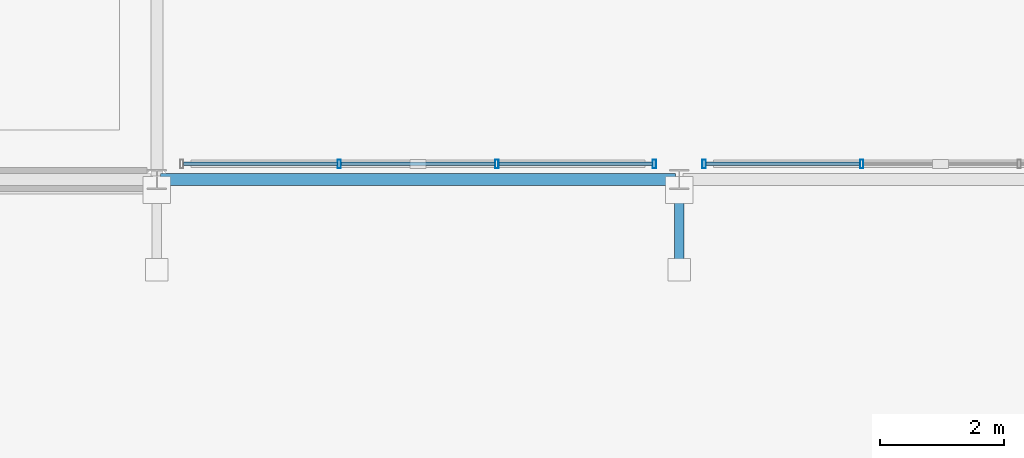
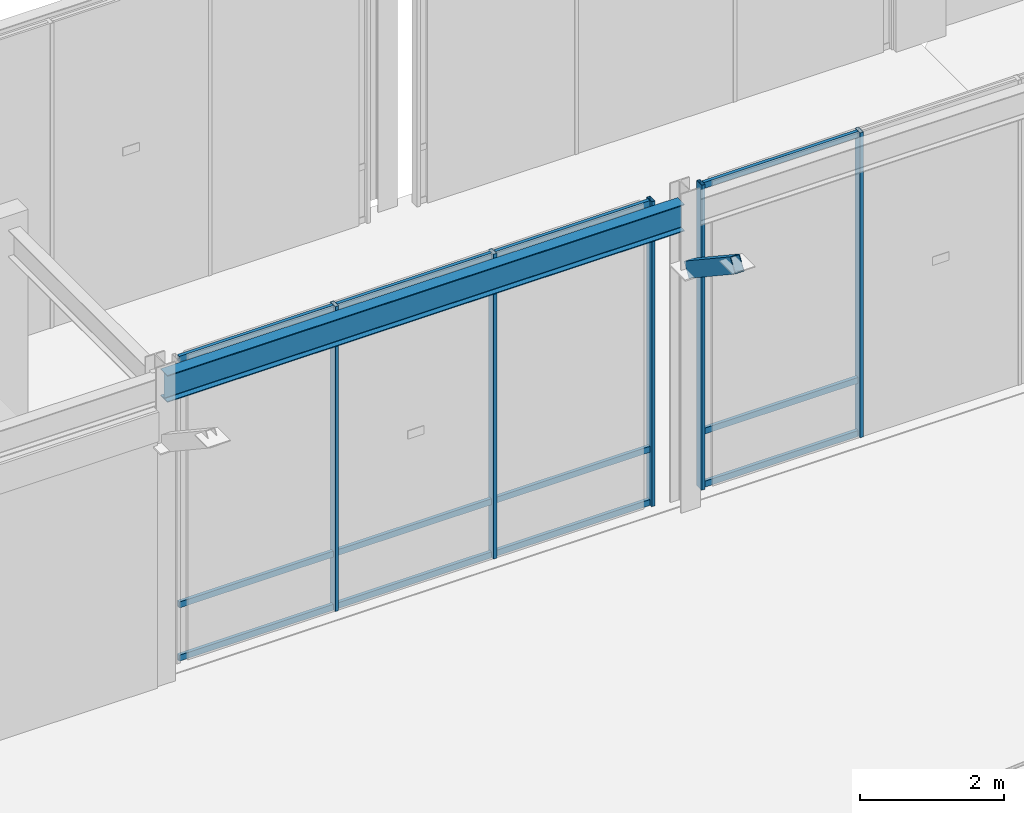
# One storey, part 38 of 157: 18 members, 1 beam, 2 elements without a shape of their own.
"""IFC4 building model written with IfcOpenShell, lengths in metres."""

from ifc_helpers import new_model, si_unit, direction, frame, origin, origin_2d, place, context, subcontext, project, spatial, hollow_rectangle, i_section, extrude, material, material_profile, profile_set, type_object, element, aggregate, save


model = new_model("IFC4")

# Units and contexts
model_context = context("Model", 3, precision=1e-05, world=origin(), true_north=direction((0.0, 1.0)))
body_context = subcontext(model_context, "Body", "Model", "MODEL_VIEW")
ifc_project = project(units=[si_unit("LENGTHUNIT", "METRE"), si_unit("AREAUNIT", "SQUARE_METRE"), si_unit("VOLUMEUNIT", "CUBIC_METRE"), si_unit("PLANEANGLEUNIT", "RADIAN"), si_unit("MASSUNIT", "GRAM", prefix="KILO"), si_unit("THERMODYNAMICTEMPERATUREUNIT", "KELVIN"), si_unit("POWERUNIT", "WATT")], contexts=[model_context])

# Site, building, storey
site_placement = place(None, origin())
site = spatial("IfcSite", under=ifc_project, at=site_placement, CompositionType="ELEMENT")
building_placement = place(site_placement, origin())
building = spatial("IfcBuilding", under=site, at=building_placement, Name="Darbajah Civic Hall", CompositionType="ELEMENT")
storey_placement = place(building_placement, origin())
storey = spatial("IfcBuildingStorey", under=building, at=storey_placement, Name="L00", CompositionType="ELEMENT", Elevation=0.0)

# Curtain wall, members
ifc_material_1 = material(Name="Anodised Bronze Aluminium and Low-E Glazing", Category="aluminium")
curtain_wall_type = type_object("IfcCurtainWallType", Name="Unitised Curtain Wall CW-101 7600x5150", PredefinedType="USERDEFINED", material=ifc_material_1)
curtain_wall_1_placement = place(storey_placement, origin())
curtain_wall_1 = element("IfcCurtainWall", 1, at=curtain_wall_1_placement, inside=storey, type_object=curtain_wall_type, Name="L00 unitised curtain wall CW-V6-SE-S-L00", ObjectType="UNITISED CURTAIN WALL", PredefinedType="USERDEFINED")
ifc_material_2 = material(Name="Anodised Bronze Aluminium", Category="aluminium")
ifc_material_profile_1 = material_profile(ifc_material_2, hollow_rectangle(XDim=0.054931640625, YDim=0.139892578125, WallThickness=0.003173828125, at=origin_2d()), Name="ALU MULLION 55x140")
ifc_profile_set_1 = profile_set([ifc_material_profile_1], Name="Anodised Bronze Aluminium")
member_type_1 = type_object("IfcMemberType", Name="ALU MULLION 55x140", PredefinedType="MULLION", material=ifc_profile_set_1)
member_1_placement = place(storey_placement, frame((97.13330078125, 33.85009765625, 0.0), z_axis=(0.0, 0.0, 1.0), x_axis=(1.0, 0.0, 0.0)))
member_1 = element("IfcMember", 2, at=member_1_placement, type_object=member_type_1, Name="CW-V6-SE-S-L00 mullion 2", PredefinedType="MULLION", context=body_context, shape_type="SweptSolid", body=[
    extrude(hollow_rectangle(XDim=0.054931640625, YDim=0.139892578125, WallThickness=0.003173828125, at=origin_2d()), origin(), (0.0, 0.0, 1.0), 5.159912109375),
])
member_2_placement = place(storey_placement, frame((99.666748046875, 33.85009765625, 0.0), z_axis=(0.0, 0.0, 1.0), x_axis=(1.0, 0.0, 0.0)))
member_2 = element("IfcMember", 3, at=member_2_placement, type_object=member_type_1, Name="CW-V6-SE-S-L00 mullion 3", PredefinedType="MULLION", context=body_context, shape_type="SweptSolid", body=[
    extrude(hollow_rectangle(XDim=0.054931640625, YDim=0.139892578125, WallThickness=0.003173828125, at=origin_2d()), origin(), (0.0, 0.0, 1.0), 5.159912109375),
])
member_3_placement = place(storey_placement, frame((102.199951171875, 33.85009765625, 0.0), z_axis=(0.0, 0.0, 1.0), x_axis=(1.0, 0.0, 0.0)))
member_3 = element("IfcMember", 4, at=member_3_placement, type_object=member_type_1, Name="CW-V6-SE-S-L00 mullion 4", PredefinedType="MULLION", context=body_context, shape_type="SweptSolid", body=[
    extrude(hollow_rectangle(XDim=0.054931640625, YDim=0.139892578125, WallThickness=0.003173828125, at=origin_2d()), origin(), (0.0, 0.0, 1.0), 5.159912109375),
])

curtain_wall_2_placement = place(storey_placement, origin())
curtain_wall_2 = element("IfcCurtainWall", 5, at=curtain_wall_2_placement, inside=storey, type_object=curtain_wall_type, Name="L00 unitised curtain wall CW-V6-SE-S2-L00", ObjectType="UNITISED CURTAIN WALL", PredefinedType="USERDEFINED")
member_4_placement = place(storey_placement, frame((103.0, 33.85009765625, 0.0), z_axis=(0.0, 0.0, 1.0), x_axis=(1.0, 0.0, 0.0)))
member_4 = element("IfcMember", 6, at=member_4_placement, type_object=member_type_1, Name="CW-V6-SE-S2-L00 mullion 1", PredefinedType="MULLION", context=body_context, shape_type="SweptSolid", body=[
    extrude(hollow_rectangle(XDim=0.054931640625, YDim=0.139892578125, WallThickness=0.003173828125, at=origin_2d()), origin(), (0.0, 0.0, 1.0), 5.159912109375),
])
member_5_placement = place(storey_placement, frame((105.533203125, 33.85009765625, 0.0), z_axis=(0.0, 0.0, 1.0), x_axis=(1.0, 0.0, 0.0)))
member_5 = element("IfcMember", 7, at=member_5_placement, type_object=member_type_1, Name="CW-V6-SE-S2-L00 mullion 2", PredefinedType="MULLION", context=body_context, shape_type="SweptSolid", body=[
    extrude(hollow_rectangle(XDim=0.054931640625, YDim=0.139892578125, WallThickness=0.003173828125, at=origin_2d()), origin(), (0.0, 0.0, 1.0), 5.159912109375),
])

# Member
ifc_material_profile_2 = material_profile(ifc_material_2, hollow_rectangle(XDim=0.054931640625, YDim=0.10009765625, WallThickness=0.0029296875, at=origin_2d()), Name="ALU TRANSOM 55x100")
ifc_profile_set_2 = profile_set([ifc_material_profile_2], Name="Anodised Bronze Aluminium")
member_type_2 = type_object("IfcMemberType", Name="ALU TRANSOM 55x100", PredefinedType="USERDEFINED", material=ifc_profile_set_2)
member_6_placement = place(storey_placement, frame((94.632568359375, 33.85009765625, 0.050048828125), z_axis=(1.0, 0.0, 0.0), x_axis=(0.0, 1.0, 0.0)))
member_6 = element("IfcMember", 8, at=member_6_placement, type_object=member_type_2, Name="CW-V6-SE-S-L00 transom 1.1", ObjectType="TRANSOM", PredefinedType="USERDEFINED", context=body_context, shape_type="SweptSolid", body=[
    extrude(hollow_rectangle(XDim=0.054931640625, YDim=0.10009765625, WallThickness=0.0029296875, at=origin_2d()), origin(), (0.0, 0.0, 1.0), 2.46826171875),
])

member_7_placement = place(storey_placement, frame((94.632568359375, 33.85009765625, 0.949951171875), z_axis=(1.0, 0.0, 0.0), x_axis=(0.0, 1.0, 0.0)))
member_7 = element("IfcMember", 9, at=member_7_placement, type_object=member_type_2, Name="CW-V6-SE-S-L00 transom 1.2", ObjectType="TRANSOM", PredefinedType="USERDEFINED", context=body_context, shape_type="SweptSolid", body=[
    extrude(hollow_rectangle(XDim=0.054931640625, YDim=0.10009765625, WallThickness=0.0029296875, at=origin_2d()), origin(), (0.0, 0.0, 1.0), 2.46826171875),
])

member_8_placement = place(storey_placement, frame((94.632568359375, 33.85009765625, 5.110107421875), z_axis=(1.0, 0.0, 0.0), x_axis=(0.0, 1.0, 0.0)))
member_8 = element("IfcMember", 10, at=member_8_placement, type_object=member_type_2, Name="CW-V6-SE-S-L00 transom 1.3", ObjectType="TRANSOM", PredefinedType="USERDEFINED", context=body_context, shape_type="SweptSolid", body=[
    extrude(hollow_rectangle(XDim=0.054931640625, YDim=0.10009765625, WallThickness=0.0029296875, at=origin_2d()), origin(), (0.0, 0.0, 1.0), 2.46826171875),
])

member_9_placement = place(storey_placement, frame((97.165771484375, 33.85009765625, 0.050048828125), z_axis=(1.0, 0.0, 0.0), x_axis=(0.0, 1.0, 0.0)))
member_9 = element("IfcMember", 11, at=member_9_placement, type_object=member_type_2, Name="CW-V6-SE-S-L00 transom 2.1", ObjectType="TRANSOM", PredefinedType="USERDEFINED", context=body_context, shape_type="SweptSolid", body=[
    extrude(hollow_rectangle(XDim=0.054931640625, YDim=0.10009765625, WallThickness=0.0029296875, at=origin_2d()), origin(), (0.0, 0.0, 1.0), 2.468505859375),
])

member_10_placement = place(storey_placement, frame((97.165771484375, 33.85009765625, 0.949951171875), z_axis=(1.0, 0.0, 0.0), x_axis=(0.0, 1.0, 0.0)))
member_10 = element("IfcMember", 12, at=member_10_placement, type_object=member_type_2, Name="CW-V6-SE-S-L00 transom 2.2", ObjectType="TRANSOM", PredefinedType="USERDEFINED", context=body_context, shape_type="SweptSolid", body=[
    extrude(hollow_rectangle(XDim=0.054931640625, YDim=0.10009765625, WallThickness=0.0029296875, at=origin_2d()), origin(), (0.0, 0.0, 1.0), 2.468505859375),
])

member_11_placement = place(storey_placement, frame((97.165771484375, 33.85009765625, 5.110107421875), z_axis=(1.0, 0.0, 0.0), x_axis=(0.0, 1.0, 0.0)))
member_11 = element("IfcMember", 13, at=member_11_placement, type_object=member_type_2, Name="CW-V6-SE-S-L00 transom 2.3", ObjectType="TRANSOM", PredefinedType="USERDEFINED", context=body_context, shape_type="SweptSolid", body=[
    extrude(hollow_rectangle(XDim=0.054931640625, YDim=0.10009765625, WallThickness=0.0029296875, at=origin_2d()), origin(), (0.0, 0.0, 1.0), 2.468505859375),
])

member_12_placement = place(storey_placement, frame((99.69921875, 33.85009765625, 0.050048828125), z_axis=(1.0, 0.0, 0.0), x_axis=(0.0, 1.0, 0.0)))
member_12 = element("IfcMember", 14, at=member_12_placement, type_object=member_type_2, Name="CW-V6-SE-S-L00 transom 3.1", ObjectType="TRANSOM", PredefinedType="USERDEFINED", context=body_context, shape_type="SweptSolid", body=[
    extrude(hollow_rectangle(XDim=0.054931640625, YDim=0.10009765625, WallThickness=0.0029296875, at=origin_2d()), origin(), (0.0, 0.0, 1.0), 2.46826171875),
])

member_13_placement = place(storey_placement, frame((99.69921875, 33.85009765625, 0.949951171875), z_axis=(1.0, 0.0, 0.0), x_axis=(0.0, 1.0, 0.0)))
member_13 = element("IfcMember", 15, at=member_13_placement, type_object=member_type_2, Name="CW-V6-SE-S-L00 transom 3.2", ObjectType="TRANSOM", PredefinedType="USERDEFINED", context=body_context, shape_type="SweptSolid", body=[
    extrude(hollow_rectangle(XDim=0.054931640625, YDim=0.10009765625, WallThickness=0.0029296875, at=origin_2d()), origin(), (0.0, 0.0, 1.0), 2.46826171875),
])

member_14_placement = place(storey_placement, frame((99.69921875, 33.85009765625, 5.110107421875), z_axis=(1.0, 0.0, 0.0), x_axis=(0.0, 1.0, 0.0)))
member_14 = element("IfcMember", 16, at=member_14_placement, type_object=member_type_2, Name="CW-V6-SE-S-L00 transom 3.3", ObjectType="TRANSOM", PredefinedType="USERDEFINED", context=body_context, shape_type="SweptSolid", body=[
    extrude(hollow_rectangle(XDim=0.054931640625, YDim=0.10009765625, WallThickness=0.0029296875, at=origin_2d()), origin(), (0.0, 0.0, 1.0), 2.46826171875),
])

aggregate(curtain_wall_1, [member_1, member_2, member_3, member_6, member_7, member_8, member_9, member_10, member_11, member_12, member_13, member_14])

member_15_placement = place(storey_placement, frame((103.032470703125, 33.85009765625, 0.050048828125), z_axis=(1.0, 0.0, 0.0), x_axis=(0.0, 1.0, 0.0)))
member_15 = element("IfcMember", 17, at=member_15_placement, type_object=member_type_2, Name="CW-V6-SE-S2-L00 transom 1.1", ObjectType="TRANSOM", PredefinedType="USERDEFINED", context=body_context, shape_type="SweptSolid", body=[
    extrude(hollow_rectangle(XDim=0.054931640625, YDim=0.10009765625, WallThickness=0.0029296875, at=origin_2d()), origin(), (0.0, 0.0, 1.0), 2.46826171875),
])

member_16_placement = place(storey_placement, frame((103.032470703125, 33.85009765625, 0.949951171875), z_axis=(1.0, 0.0, 0.0), x_axis=(0.0, 1.0, 0.0)))
member_16 = element("IfcMember", 18, at=member_16_placement, type_object=member_type_2, Name="CW-V6-SE-S2-L00 transom 1.2", ObjectType="TRANSOM", PredefinedType="USERDEFINED", context=body_context, shape_type="SweptSolid", body=[
    extrude(hollow_rectangle(XDim=0.054931640625, YDim=0.10009765625, WallThickness=0.0029296875, at=origin_2d()), origin(), (0.0, 0.0, 1.0), 2.46826171875),
])

member_17_placement = place(storey_placement, frame((103.032470703125, 33.85009765625, 5.110107421875), z_axis=(1.0, 0.0, 0.0), x_axis=(0.0, 1.0, 0.0)))
member_17 = element("IfcMember", 19, at=member_17_placement, type_object=member_type_2, Name="CW-V6-SE-S2-L00 transom 1.3", ObjectType="TRANSOM", PredefinedType="USERDEFINED", context=body_context, shape_type="SweptSolid", body=[
    extrude(hollow_rectangle(XDim=0.054931640625, YDim=0.10009765625, WallThickness=0.0029296875, at=origin_2d()), origin(), (0.0, 0.0, 1.0), 2.46826171875),
])

aggregate(curtain_wall_2, [member_4, member_5, member_15, member_16, member_17])

ifc_material_3 = material(Name="Steel S355JR", Category="steel")
ifc_material_profile_3 = material_profile(ifc_material_3, hollow_rectangle(XDim=0.14990234375, YDim=0.25, WallThickness=0.010009765625, at=origin_2d()), Name="RHS 250x150x10")
ifc_profile_set_3 = profile_set([ifc_material_profile_3], Name="Steel S355JR")
member_type_3 = type_object("IfcMemberType", Name="RHS 250x150x10", PredefinedType="STRUT", material=ifc_profile_set_3)
member_18_placement = place(storey_placement, frame((102.60009765625, 33.431884765625, 4.10009765625), z_axis=(0.0, -0.833488262509, 0.552537162787), x_axis=(1.0, 0.0, 0.0)))
element("IfcMember", 20, at=member_18_placement, inside=storey, type_object=member_type_3, Name="L00 chhajja canopy raking strut 4", PredefinedType="STRUT", context=body_context, shape_type="SweptSolid", body=[
    extrude(hollow_rectangle(XDim=0.14990234375, YDim=0.25, WallThickness=0.010009765625, at=origin_2d()), origin(), (0.0, 0.0, 1.0), 1.5380859375),
])

# Beam
ifc_material_profile_4 = material_profile(ifc_material_3, i_section(OverallWidth=0.1904296875, OverallDepth=0.45703125, WebThickness=0.009033203125, FlangeThickness=0.014404296875, FilletRadius=0.01025390625, at=origin_2d()), Name="UB 457x191x74")
ifc_profile_set_4 = profile_set([ifc_material_profile_4], Name="Steel S355JR")
beam_type = type_object("IfcBeamType", Name="UB 457x191x74", PredefinedType="BEAM", material=ifc_profile_set_4)
beam_placement = place(storey_placement, frame((94.260009765625, 33.60009765625, 4.931396484375), z_axis=(1.0, 0.0, 0.0), x_axis=(0.0, 1.0, 0.0)))
element("IfcBeam", 21, at=beam_placement, inside=storey, type_object=beam_type, Name="L00 beam SB-457", PredefinedType="BEAM", context=body_context, shape_type="SweptSolid", body=[
    extrude(i_section(OverallWidth=0.1904296875, OverallDepth=0.45703125, WebThickness=0.009033203125, FlangeThickness=0.014404296875, FilletRadius=0.01025390625, at=origin_2d()), origin(), (0.0, 0.0, 1.0), 8.280029296875),
])

save(model, "model.ifc")
